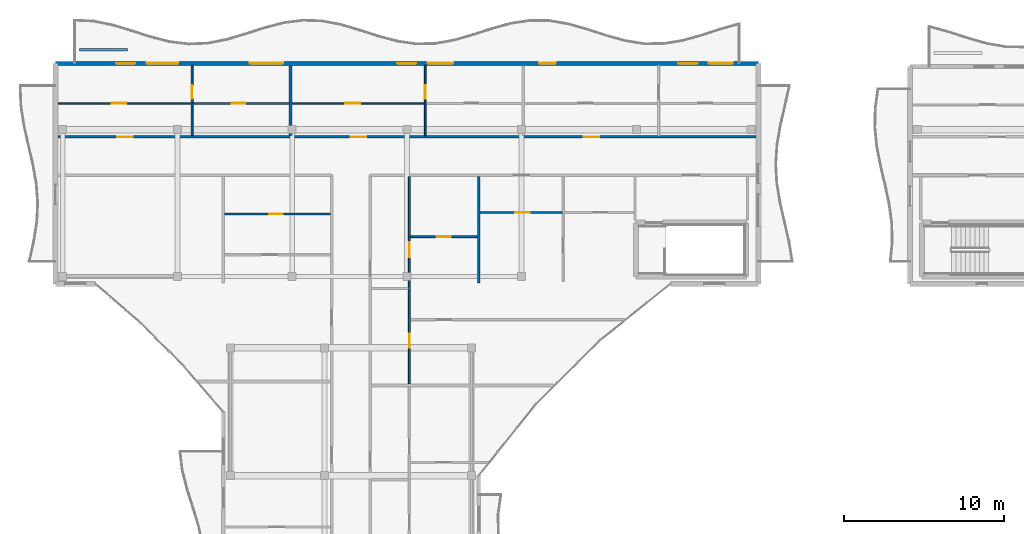
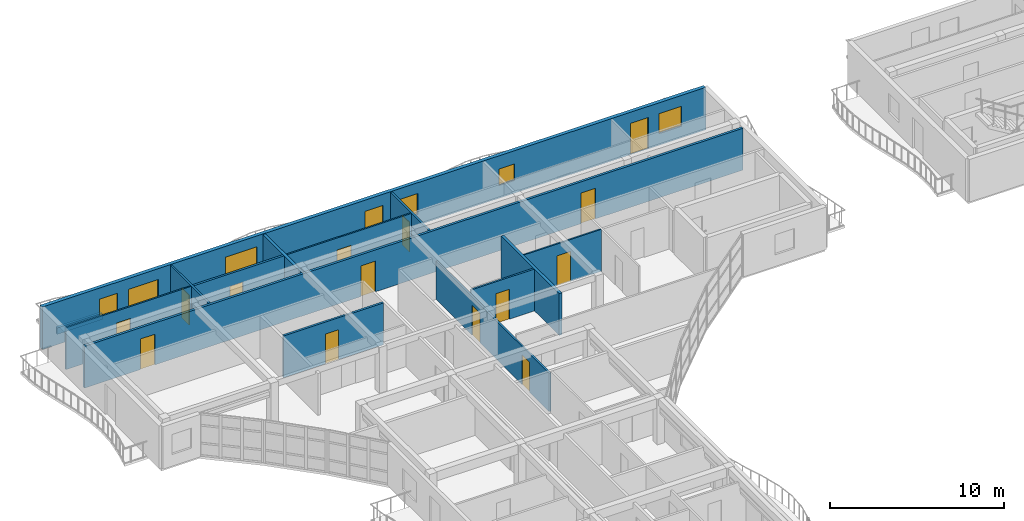
# One storey, part 17 of 30: 16 doors, 14 walls, 5 windows, 21 openings.
"""IFC4 building model written with IfcOpenShell, lengths in metres."""

from ifc_helpers import new_model, si_unit, direction, frame, frame_2d, origin, place, context, subcontext, project, spatial, rectangle, extrude, material, layer, layer_set, type_object, element, fill, save


model = new_model("IFC4")

# Units and contexts
model_context = context("Model", 3, precision=1e-05, world=origin(), true_north=direction((0.0, 1.0)))
body_context = subcontext(model_context, "Body", "Model", "MODEL_VIEW")
ifc_project = project(units=[si_unit("LENGTHUNIT", "METRE"), si_unit("AREAUNIT", "SQUARE_METRE"), si_unit("VOLUMEUNIT", "CUBIC_METRE"), si_unit("PLANEANGLEUNIT", "RADIAN"), si_unit("MASSUNIT", "GRAM", prefix="KILO")], contexts=[model_context])

# Site, building, storey
site_placement = place(None, origin())
site = spatial("IfcSite", under=ifc_project, at=site_placement, CompositionType="ELEMENT")
building_placement = place(site_placement, origin())
building = spatial("IfcBuilding", under=site, at=building_placement, Name="Keldmere Railside Commons", CompositionType="ELEMENT")
storey_placement = place(building_placement, frame((0.0, 0.0, 36.159912109375)))
storey = spatial("IfcBuildingStorey", under=building, at=storey_placement, Name="L11", CompositionType="ELEMENT", Elevation=36.159912109375)

# Walls
ifc_material_1 = material(Name="Acoustic Gypsum Board Partition", Category="gypsum")
ifc_layer_1 = layer(ifc_material_1, 0.179931640625, Name="Acoustic Demising Partition 180")
ifc_layer_set_1 = layer_set([ifc_layer_1], Name="Acoustic Gypsum Board Partition")
wall_type_1 = type_object("IfcWallType", Name="Acoustic Demising Partition 180", PredefinedType="PARTITIONING", material=ifc_layer_set_1)
wall_1_placement = place(storey_placement, frame((120.0, 100.050048828125, 0.0), z_axis=(0.0, 0.0, 1.0), x_axis=(0.0, 1.0, 0.0)))
element("IfcWall", 1, at=wall_1_placement, inside=storey, type_object=wall_type_1, Name="IW-1 IW-L11-1362", PredefinedType="PARTITIONING", context=body_context, shape_type="SweptSolid", body=[
    extrude(rectangle(XDim=6.669921875, YDim=0.179931640625, at=frame_2d((3.3349609375, 0.0))), origin(), (0.0, 0.0, 1.0), 2.93505859375),
])
wall_2_placement = place(storey_placement, frame((108.219970703125, 109.280029296875, 0.0), z_axis=(0.0, 0.0, 1.0), x_axis=(0.0, 1.0, 0.0)))
element("IfcWall", 2, at=wall_2_placement, inside=storey, type_object=wall_type_1, Name="IW-1 IW-L11-1382", PredefinedType="PARTITIONING", context=body_context, shape_type="SweptSolid", body=[
    extrude(rectangle(XDim=4.39990234375, YDim=0.179931640625, at=frame_2d((2.199951171875, 0.0))), origin(), (0.0, 0.0, 1.0), 2.93505859375),
])

# Wall, openings, doors
ifc_layer_2 = layer(ifc_material_1, 0.1201171875, Name="Apartment Interior Partition 120")
ifc_layer_set_2 = layer_set([ifc_layer_2], Name="Acoustic Gypsum Board Partition")
wall_type_2 = type_object("IfcWallType", Name="Apartment Interior Partition 120", PredefinedType="PARTITIONING", material=ifc_layer_set_2)
wall_3_placement = place(storey_placement, frame((115.659912109375, 93.739990234375, 0.0), z_axis=(0.0, 0.0, 1.0), x_axis=(0.0, 1.0, 0.0)))
wall_3 = element("IfcWall", 3, at=wall_3_placement, inside=storey, type_object=wall_type_2, Name="IW-4 IW-L11-1378", PredefinedType="PARTITIONING", context=body_context, shape_type="SweptSolid", body=[
    extrude(rectangle(XDim=12.97998046875, YDim=0.1201171875, at=frame_2d((6.489990234375, 0.0))), origin(), (0.0, 0.0, 1.0), 2.68017578125),
])
opening_1_placement = place(wall_3_placement, frame((2.2685546875, 0.0, 0.0)))
opening_1 = element("IfcOpeningElement", 4, at=opening_1_placement, cuts=wall_3, Name="Opening ID-04", PredefinedType="OPENING", context=body_context, shape_type="SweptSolid", body=[
    extrude(rectangle(XDim=0.860107421875, YDim=2.10009765625, at=frame_2d((0.43017578125, 1.050048828125))), frame((0.0, 0.070068359375, 0.0), z_axis=(0.0, -1.0, 0.0), x_axis=(1.0, 0.0, 0.0)), (0.0, 0.0, 1.0), 0.14013671875),
])
opening_2_placement = place(wall_3_placement, frame((7.932861328125, 0.0, 0.0)))
opening_2 = element("IfcOpeningElement", 5, at=opening_2_placement, cuts=wall_3, Name="Opening ID-03", PredefinedType="OPENING", context=body_context, shape_type="SweptSolid", body=[
    extrude(rectangle(XDim=0.919921875, YDim=2.10009765625, at=frame_2d((0.4599609375, 1.050048828125))), frame((0.0, 0.070068359375, 0.0), z_axis=(0.0, -1.0, 0.0), x_axis=(1.0, 0.0, 0.0)), (0.0, 0.0, 1.0), 0.14013671875),
])
ifc_material_2 = material(Name="Engineered Oak Timber", Category="wood")
door_type_1 = type_object("IfcDoorType", Name="Apartment Bathroom Door 860x2100", OperationType="NOTDEFINED", PredefinedType="DOOR", material=ifc_material_2)
door_1_placement = place(opening_1_placement, origin())
door_1 = element("IfcDoor", 6, at=door_1_placement, inside=storey, type_object=door_type_1, Name="ID-04 IDR-L11-1230", OperationType="SINGLE_SWING_RIGHT", OverallHeight=2.10009765625, OverallWidth=0.860107421875, PredefinedType="DOOR", context=body_context, shape_type="SweptSolid", body=[
    extrude(rectangle(XDim=0.860107421875, YDim=2.10009765625, at=frame_2d((0.43017578125, 1.050048828125))), frame((0.0, 0.02490234375, 0.0), z_axis=(0.0, -1.0, 0.0), x_axis=(1.0, 0.0, 0.0)), (0.0, 0.0, 1.0), 0.050048828125),
])
fill(opening_1, door_1)
door_type_2 = type_object("IfcDoorType", Name="Kitchen Pocket-Frame Swing Door 920x2100", OperationType="NOTDEFINED", PredefinedType="DOOR", material=ifc_material_2)
door_2_placement = place(opening_2_placement, origin())
door_2 = element("IfcDoor", 7, at=door_2_placement, inside=storey, type_object=door_type_2, Name="ID-03 IDR-L11-1231", OperationType="SINGLE_SWING_LEFT", OverallHeight=2.10009765625, OverallWidth=0.919921875, PredefinedType="DOOR", context=body_context, shape_type="SweptSolid", body=[
    extrude(rectangle(XDim=0.919921875, YDim=2.10009765625, at=frame_2d((0.4599609375, 1.050048828125))), frame((0.0, 0.02490234375, 0.0), z_axis=(0.0, -1.0, 0.0), x_axis=(1.0, 0.0, 0.0)), (0.0, 0.0, 1.0), 0.050048828125),
])
fill(opening_2, door_2)

# Wall, opening, door
wall_4_placement = place(storey_placement, frame((115.719970703125, 102.9599609375, 0.0), z_axis=(0.0, 0.0, 1.0), x_axis=(1.0, 0.0, 0.0)))
wall_4 = element("IfcWall", 8, at=wall_4_placement, inside=storey, type_object=wall_type_2, Name="IW-4 IW-L11-1381", PredefinedType="PARTITIONING", context=body_context, shape_type="SweptSolid", body=[
    extrude(rectangle(XDim=4.18994140625, YDim=0.1201171875, at=frame_2d((2.094970703125, 0.0))), origin(), (0.0, 0.0, 1.0), 2.93505859375),
])
opening_3_placement = place(wall_4_placement, frame((1.655029296875, 0.0, 0.0)))
opening_3 = element("IfcOpeningElement", 9, at=opening_3_placement, cuts=wall_4, Name="Opening ID-02", PredefinedType="OPENING", context=body_context, shape_type="SweptSolid", body=[
    extrude(rectangle(XDim=0.8798828125, YDim=2.10009765625, at=frame_2d((0.43994140625, 1.050048828125))), frame((0.0, 0.070068359375, 0.0), z_axis=(0.0, -1.0, 0.0), x_axis=(1.0, 0.0, 0.0)), (0.0, 0.0, 1.0), 0.14013671875),
])
door_type_3 = type_object("IfcDoorType", Name="Secondary Bedroom Door 880x2100", OperationType="NOTDEFINED", PredefinedType="DOOR", material=ifc_material_2)
door_3_placement = place(opening_3_placement, origin())
door_3 = element("IfcDoor", 10, at=door_3_placement, inside=storey, type_object=door_type_3, Name="ID-02 IDR-L11-1234", OperationType="SINGLE_SWING_RIGHT", OverallHeight=2.10009765625, OverallWidth=0.8798828125, PredefinedType="DOOR", context=body_context, shape_type="SweptSolid", body=[
    extrude(rectangle(XDim=0.8798828125, YDim=2.10009765625, at=frame_2d((0.43994140625, 1.050048828125))), frame((0.0, 0.02490234375, 0.0), z_axis=(0.0, -1.0, 0.0), x_axis=(1.0, 0.0, 0.0)), (0.0, 0.0, 1.0), 0.050048828125),
])
fill(opening_3, door_3)

wall_5_placement = place(storey_placement, frame((102.050048828125, 109.280029296875, 0.0), z_axis=(0.0, 0.0, 1.0), x_axis=(0.0, 1.0, 0.0)))
wall_5 = element("IfcWall", 11, at=wall_5_placement, inside=storey, type_object=wall_type_2, Name="IW-4 IW-L11-1384", PredefinedType="PARTITIONING", context=body_context, shape_type="SweptSolid", body=[
    extrude(rectangle(XDim=4.39990234375, YDim=0.1201171875, at=frame_2d((2.199951171875, 0.0))), origin(), (0.0, 0.0, 1.0), 2.93505859375),
])
opening_4_placement = place(wall_5_placement, frame((2.29638671875, 0.0, 0.0)))
opening_4 = element("IfcOpeningElement", 12, at=opening_4_placement, cuts=wall_5, Name="Opening ID-04", PredefinedType="OPENING", context=body_context, shape_type="SweptSolid", body=[
    extrude(rectangle(XDim=0.860107421875, YDim=2.10009765625, at=frame_2d((0.43017578125, 1.050048828125))), frame((0.0, 0.070068359375, 0.0), z_axis=(0.0, -1.0, 0.0), x_axis=(1.0, 0.0, 0.0)), (0.0, 0.0, 1.0), 0.14013671875),
])
door_4_placement = place(opening_4_placement, origin())
door_4 = element("IfcDoor", 13, at=door_4_placement, inside=storey, type_object=door_type_1, Name="ID-04 IDR-L11-1237", OperationType="SINGLE_SWING_LEFT", OverallHeight=2.10009765625, OverallWidth=0.860107421875, PredefinedType="DOOR", context=body_context, shape_type="SweptSolid", body=[
    extrude(rectangle(XDim=0.860107421875, YDim=2.10009765625, at=frame_2d((0.43017578125, 1.050048828125))), frame((0.0, 0.02490234375, 0.0), z_axis=(0.0, -1.0, 0.0), x_axis=(1.0, 0.0, 0.0)), (0.0, 0.0, 1.0), 0.050048828125),
])
fill(opening_4, door_4)

wall_6_placement = place(storey_placement, frame((116.64990234375, 109.280029296875, 0.0), z_axis=(0.0, 0.0, 1.0), x_axis=(0.0, 1.0, 0.0)))
wall_6 = element("IfcWall", 14, at=wall_6_placement, inside=storey, type_object=wall_type_2, Name="IW-4 IW-L11-1387", PredefinedType="PARTITIONING", context=body_context, shape_type="SweptSolid", body=[
    extrude(rectangle(XDim=4.39990234375, YDim=0.1201171875, at=frame_2d((2.199951171875, 0.0))), origin(), (0.0, 0.0, 1.0), 2.93505859375),
])
opening_5_placement = place(wall_6_placement, frame((2.29638671875, 0.0, 0.0)))
opening_5 = element("IfcOpeningElement", 15, at=opening_5_placement, cuts=wall_6, Name="Opening ID-04", PredefinedType="OPENING", context=body_context, shape_type="SweptSolid", body=[
    extrude(rectangle(XDim=0.860107421875, YDim=2.10009765625, at=frame_2d((0.43017578125, 1.050048828125))), frame((0.0, 0.070068359375, 0.0), z_axis=(0.0, -1.0, 0.0), x_axis=(1.0, 0.0, 0.0)), (0.0, 0.0, 1.0), 0.14013671875),
])
door_5_placement = place(opening_5_placement, origin())
door_5 = element("IfcDoor", 16, at=door_5_placement, inside=storey, type_object=door_type_1, Name="ID-04 IDR-L11-1241", OperationType="SINGLE_SWING_LEFT", OverallHeight=2.10009765625, OverallWidth=0.860107421875, PredefinedType="DOOR", context=body_context, shape_type="SweptSolid", body=[
    extrude(rectangle(XDim=0.860107421875, YDim=2.10009765625, at=frame_2d((0.43017578125, 1.050048828125))), frame((0.0, 0.02490234375, 0.0), z_axis=(0.0, -1.0, 0.0), x_axis=(1.0, 0.0, 0.0)), (0.0, 0.0, 1.0), 0.050048828125),
])
fill(opening_5, door_5)

# Wall
ifc_material_3 = material(Name="White Precast Concrete H-35 (C35/45)", Category="concrete")
ifc_layer_3 = layer(ifc_material_3, 0.169921875, Name="Balcony Planter Kerb Wall 170")
ifc_layer_set_3 = layer_set([ifc_layer_3], Name="White Precast Concrete H-35 (C35/45)")
wall_type_3 = type_object("IfcWallType", Name="Balcony Planter Kerb Wall 170", PredefinedType="PARAPET", material=ifc_layer_set_3)
wall_7_placement = place(storey_placement, frame((95.0, 114.64990234375, 0.0), z_axis=(0.0, 0.0, 1.0), x_axis=(1.0, 0.0, 0.0)))
element("IfcWall", 17, at=wall_7_placement, inside=storey, type_object=wall_type_3, Name="PW-2 PKBB-L11-0681", PredefinedType="PARAPET", context=body_context, shape_type="SweptSolid", body=[
    extrude(rectangle(XDim=3.0, YDim=0.169921875, at=frame_2d((1.5, 0.0))), origin(), (0.0, 0.0, 1.0), 0.4501953125),
])

# Wall, opening, door
ifc_layer_4 = layer(ifc_material_1, 0.10009765625, Name="Closet Light Partition 100")
ifc_layer_set_4 = layer_set([ifc_layer_4], Name="Acoustic Gypsum Board Partition")
wall_type_4 = type_object("IfcWallType", Name="Closet Light Partition 100", PredefinedType="PARTITIONING", material=ifc_layer_set_4)
wall_8_placement = place(storey_placement, frame((93.659912109375, 111.300048828125, 0.0), z_axis=(0.0, 0.0, 1.0), x_axis=(1.0, 0.0, 0.0)))
wall_8 = element("IfcWall", 18, at=wall_8_placement, inside=storey, type_object=wall_type_4, Name="IW-6 IW-L11-1386", PredefinedType="PARTITIONING", context=body_context, shape_type="SweptSolid", body=[
    extrude(rectangle(XDim=8.330078125, YDim=0.10009765625, at=frame_2d((4.1650390625, 0.0))), origin(), (0.0, 0.0, 1.0), 2.93505859375),
])
opening_6_placement = place(wall_8_placement, frame((3.35595703125, 0.0, 0.0)))
opening_6 = element("IfcOpeningElement", 19, at=opening_6_placement, cuts=wall_8, Name="Opening ID-03", PredefinedType="OPENING", context=body_context, shape_type="SweptSolid", body=[
    extrude(rectangle(XDim=0.919921875, YDim=2.10009765625, at=frame_2d((0.4599609375, 1.050048828125))), frame((0.0, 0.06005859375, 0.0), z_axis=(0.0, -1.0, 0.0), x_axis=(1.0, 0.0, 0.0)), (0.0, 0.0, 1.0), 0.1201171875),
])
door_6_placement = place(opening_6_placement, origin())
door_6 = element("IfcDoor", 20, at=door_6_placement, inside=storey, type_object=door_type_2, Name="ID-03 IDR-L11-1236", OperationType="SINGLE_SWING_RIGHT", OverallHeight=2.10009765625, OverallWidth=0.919921875, PredefinedType="DOOR", context=body_context, shape_type="SweptSolid", body=[
    extrude(rectangle(XDim=0.919921875, YDim=2.10009765625, at=frame_2d((0.4599609375, 1.050048828125))), frame((0.0, 0.02490234375, 0.0), z_axis=(0.0, -1.0, 0.0), x_axis=(1.0, 0.0, 0.0)), (0.0, 0.0, 1.0), 0.050048828125),
])
fill(opening_6, door_6)

wall_9_placement = place(storey_placement, frame((108.31005859375, 111.300048828125, 0.0), z_axis=(0.0, 0.0, 1.0), x_axis=(1.0, 0.0, 0.0)))
wall_9 = element("IfcWall", 21, at=wall_9_placement, inside=storey, type_object=wall_type_4, Name="IW-6 IW-L11-1389", PredefinedType="PARTITIONING", context=body_context, shape_type="SweptSolid", body=[
    extrude(rectangle(XDim=8.280029296875, YDim=0.10009765625, at=frame_2d((4.14013671875, 0.0))), origin(), (0.0, 0.0, 1.0), 2.93505859375),
])
opening_7_placement = place(wall_9_placement, frame((3.3359375, 0.0, 0.0)))
opening_7 = element("IfcOpeningElement", 22, at=opening_7_placement, cuts=wall_9, Name="Opening ID-03", PredefinedType="OPENING", context=body_context, shape_type="SweptSolid", body=[
    extrude(rectangle(XDim=0.919921875, YDim=2.10009765625, at=frame_2d((0.4599609375, 1.050048828125))), frame((0.0, 0.06005859375, 0.0), z_axis=(0.0, -1.0, 0.0), x_axis=(1.0, 0.0, 0.0)), (0.0, 0.0, 1.0), 0.1201171875),
])
door_7_placement = place(opening_7_placement, origin())
door_7 = element("IfcDoor", 23, at=door_7_placement, inside=storey, type_object=door_type_2, Name="ID-03 IDR-L11-1240", OperationType="SINGLE_SWING_RIGHT", OverallHeight=2.10009765625, OverallWidth=0.919921875, PredefinedType="DOOR", context=body_context, shape_type="SweptSolid", body=[
    extrude(rectangle(XDim=0.919921875, YDim=2.10009765625, at=frame_2d((0.4599609375, 1.050048828125))), frame((0.0, 0.02490234375, 0.0), z_axis=(0.0, -1.0, 0.0), x_axis=(1.0, 0.0, 0.0)), (0.0, 0.0, 1.0), 0.050048828125),
])
fill(opening_7, door_7)

wall_10_placement = place(storey_placement, frame((120.090087890625, 104.469970703125, 0.0), z_axis=(0.0, 0.0, 1.0), x_axis=(1.0, 0.0, 0.0)))
wall_10 = element("IfcWall", 24, at=wall_10_placement, inside=storey, type_object=wall_type_4, Name="IW-6 IW-L11-1395", PredefinedType="PARTITIONING", context=body_context, shape_type="SweptSolid", body=[
    extrude(rectangle(XDim=5.1298828125, YDim=0.10009765625, at=frame_2d((2.56494140625, 0.0))), origin(), (0.0, 0.0, 1.0), 2.93505859375),
])
opening_8_placement = place(wall_10_placement, frame((2.1796875, 0.0, 0.0)))
opening_8 = element("IfcOpeningElement", 25, at=opening_8_placement, cuts=wall_10, Name="Opening ID-03", PredefinedType="OPENING", context=body_context, shape_type="SweptSolid", body=[
    extrude(rectangle(XDim=0.919921875, YDim=2.10009765625, at=frame_2d((0.4599609375, 1.050048828125))), frame((0.0, 0.06005859375, 0.0), z_axis=(0.0, -1.0, 0.0), x_axis=(1.0, 0.0, 0.0)), (0.0, 0.0, 1.0), 0.1201171875),
])
door_8_placement = place(opening_8_placement, origin())
door_8 = element("IfcDoor", 26, at=door_8_placement, inside=storey, type_object=door_type_2, Name="ID-03 IDR-L11-1248", OperationType="SINGLE_SWING_RIGHT", OverallHeight=2.10009765625, OverallWidth=0.919921875, PredefinedType="DOOR", context=body_context, shape_type="SweptSolid", body=[
    extrude(rectangle(XDim=0.919921875, YDim=2.10009765625, at=frame_2d((0.4599609375, 1.050048828125))), frame((0.0, 0.02490234375, 0.0), z_axis=(0.0, -1.0, 0.0), x_axis=(1.0, 0.0, 0.0)), (0.0, 0.0, 1.0), 0.050048828125),
])
fill(opening_8, door_8)

# Wall, openings, doors
ifc_layer_5 = layer(ifc_material_1, 0.159912109375, Name="Corridor Fire Partition 160")
ifc_layer_set_5 = layer_set([ifc_layer_5], Name="Acoustic Gypsum Board Partition")
wall_type_5 = type_object("IfcWallType", Name="Corridor Fire Partition 160", PredefinedType="PARTITIONING", material=ifc_layer_set_5)
wall_11_placement = place(storey_placement, frame((93.659912109375, 109.199951171875, 0.0), z_axis=(0.0, 0.0, 1.0), x_axis=(1.0, 0.0, 0.0)))
wall_11 = element("IfcWall", 27, at=wall_11_placement, inside=storey, type_object=wall_type_5, Name="IW-2 IW-L11-1361", PredefinedType="PARTITIONING", context=body_context, shape_type="SweptSolid", body=[
    extrude(rectangle(XDim=43.68017578125, YDim=0.159912109375, at=frame_2d((21.840087890625, 0.0))), origin(), (0.0, 0.0, 1.0), 2.93505859375),
])
opening_9_placement = place(wall_11_placement, frame((3.705078125, 0.0, 0.0)))
opening_9 = element("IfcOpeningElement", 28, at=opening_9_placement, cuts=wall_11, Name="Opening FD-7", PredefinedType="OPENING", context=body_context, shape_type="SweptSolid", body=[
    extrude(rectangle(XDim=0.97998046875, YDim=2.14990234375, at=frame_2d((0.489990234375, 1.074951171875))), frame((0.0, 0.08984375, 0.0), z_axis=(0.0, -1.0, 0.0), x_axis=(1.0, 0.0, 0.0)), (0.0, 0.0, 1.0), 0.179931640625),
])
opening_10_placement = place(wall_11_placement, frame((18.330078125, 0.0, 0.0)))
opening_10 = element("IfcOpeningElement", 29, at=opening_10_placement, cuts=wall_11, Name="Opening FD-7", PredefinedType="OPENING", context=body_context, shape_type="SweptSolid", body=[
    extrude(rectangle(XDim=0.97998046875, YDim=2.14990234375, at=frame_2d((0.489990234375, 1.074951171875))), frame((0.0, 0.08984375, 0.0), z_axis=(0.0, -1.0, 0.0), x_axis=(1.0, 0.0, 0.0)), (0.0, 0.0, 1.0), 0.179931640625),
])
opening_11_placement = place(wall_11_placement, frame((32.9150390625, 0.0, 0.0)))
opening_11 = element("IfcOpeningElement", 30, at=opening_11_placement, cuts=wall_11, Name="Opening FD-7", PredefinedType="OPENING", context=body_context, shape_type="SweptSolid", body=[
    extrude(rectangle(XDim=0.97998046875, YDim=2.14990234375, at=frame_2d((0.489990234375, 1.074951171875))), frame((0.0, 0.08984375, 0.0), z_axis=(0.0, -1.0, 0.0), x_axis=(1.0, 0.0, 0.0)), (0.0, 0.0, 1.0), 0.179931640625),
])
door_type_4 = type_object("IfcDoorType", Name="Apartment Entrance Acoustic Fire Door 980x2150", OperationType="NOTDEFINED", PredefinedType="DOOR", material=ifc_material_2)
door_9_placement = place(opening_9_placement, origin())
door_9 = element("IfcDoor", 31, at=door_9_placement, inside=storey, type_object=door_type_4, Name="FD-7 IDR-L11-1235", OperationType="SINGLE_SWING_LEFT", OverallHeight=2.14990234375, OverallWidth=0.97998046875, PredefinedType="DOOR", context=body_context, shape_type="SweptSolid", body=[
    extrude(rectangle(XDim=0.97998046875, YDim=2.14990234375, at=frame_2d((0.489990234375, 1.074951171875))), frame((0.0, 0.02490234375, 0.0), z_axis=(0.0, -1.0, 0.0), x_axis=(1.0, 0.0, 0.0)), (0.0, 0.0, 1.0), 0.050048828125),
])
fill(opening_9, door_9)
door_10_placement = place(opening_10_placement, origin())
door_10 = element("IfcDoor", 32, at=door_10_placement, inside=storey, type_object=door_type_4, Name="FD-7 IDR-L11-1239", OperationType="SINGLE_SWING_LEFT", OverallHeight=2.14990234375, OverallWidth=0.97998046875, PredefinedType="DOOR", context=body_context, shape_type="SweptSolid", body=[
    extrude(rectangle(XDim=0.97998046875, YDim=2.14990234375, at=frame_2d((0.489990234375, 1.074951171875))), frame((0.0, 0.02490234375, 0.0), z_axis=(0.0, -1.0, 0.0), x_axis=(1.0, 0.0, 0.0)), (0.0, 0.0, 1.0), 0.050048828125),
])
fill(opening_10, door_10)
door_11_placement = place(opening_11_placement, origin())
door_11 = element("IfcDoor", 33, at=door_11_placement, inside=storey, type_object=door_type_4, Name="FD-7 IDR-L11-1243", OperationType="SINGLE_SWING_LEFT", OverallHeight=2.14990234375, OverallWidth=0.97998046875, PredefinedType="DOOR", context=body_context, shape_type="SweptSolid", body=[
    extrude(rectangle(XDim=0.97998046875, YDim=2.14990234375, at=frame_2d((0.489990234375, 1.074951171875))), frame((0.0, 0.02490234375, 0.0), z_axis=(0.0, -1.0, 0.0), x_axis=(1.0, 0.0, 0.0)), (0.0, 0.0, 1.0), 0.050048828125),
])
fill(opening_11, door_11)

# Wall, openings, windows, doors
ifc_material_4 = material(Name="Architectural Precast Concrete H-35 (C35/45)", Category="concrete")
ifc_layer_6 = layer(ifc_material_4, 0.239990234375, Name="Sand-Ochre Precast Cavity Wall 240")
ifc_layer_set_6 = layer_set([ifc_layer_6], Name="Architectural Precast Concrete H-35 (C35/45)")
wall_type_6 = type_object("IfcWallType", Name="Sand-Ochre Precast Cavity Wall 240", PredefinedType="SOLIDWALL", material=ifc_layer_set_6)
wall_12_placement = place(storey_placement, frame((93.5, 113.800048828125, 0.0), z_axis=(0.0, 0.0, 1.0), x_axis=(1.0, 0.0, 0.0)))
wall_12 = element("IfcWall", 34, at=wall_12_placement, inside=storey, type_object=wall_type_6, Name="EW-2 EXTB-L11-0677", PredefinedType="SOLIDWALL", context=body_context, shape_type="SweptSolid", body=[
    extrude(rectangle(XDim=44.0, YDim=0.239990234375, at=frame_2d((22.0, 0.0))), origin(), (0.0, 0.0, 1.0), 2.97998046875),
])
opening_12_placement = place(wall_12_placement, frame((3.800048828125, 0.0, 0.0)))
opening_12 = element("IfcOpeningElement", 35, at=opening_12_placement, cuts=wall_12, Name="Opening BD-01", PredefinedType="OPENING", context=body_context, shape_type="SweptSolid", body=[
    extrude(rectangle(XDim=1.199951171875, YDim=2.199951171875, at=frame_2d((0.60009765625, 1.10009765625))), frame((0.0, 0.1298828125, 0.0), z_axis=(0.0, -1.0, 0.0), x_axis=(1.0, 0.0, 0.0)), (0.0, 0.0, 1.0), 0.260009765625),
])
opening_13_placement = place(wall_12_placement, frame((5.699951171875, 0.0, 0.719970703125)))
opening_13 = element("IfcOpeningElement", 36, at=opening_13_placement, cuts=wall_12, Name="Opening WN-02", PredefinedType="OPENING", context=body_context, shape_type="SweptSolid", body=[
    extrude(rectangle(XDim=2.0, YDim=1.5, at=frame_2d((1.0, 0.75))), frame((0.0, 0.1298828125, 0.0), z_axis=(0.0, -1.0, 0.0), x_axis=(1.0, 0.0, 0.0)), (0.0, 0.0, 1.0), 0.260009765625),
])
opening_14_placement = place(wall_12_placement, frame((12.14990234375, 0.0, 0.669921875)))
opening_14 = element("IfcOpeningElement", 37, at=opening_14_placement, cuts=wall_12, Name="Opening WN-11", PredefinedType="OPENING", context=body_context, shape_type="SweptSolid", body=[
    extrude(rectangle(XDim=2.10009765625, YDim=1.550048828125, at=frame_2d((1.050048828125, 0.77490234375))), frame((0.0, 0.1298828125, 0.0), z_axis=(0.0, -1.0, 0.0), x_axis=(1.0, 0.0, 0.0)), (0.0, 0.0, 1.0), 0.260009765625),
])
opening_15_placement = place(wall_12_placement, frame((21.39990234375, 0.0, 0.0)))
opening_15 = element("IfcOpeningElement", 38, at=opening_15_placement, cuts=wall_12, Name="Opening BD-01", PredefinedType="OPENING", context=body_context, shape_type="SweptSolid", body=[
    extrude(rectangle(XDim=1.199951171875, YDim=2.199951171875, at=frame_2d((0.60009765625, 1.10009765625))), frame((0.0, 0.1298828125, 0.0), z_axis=(0.0, -1.0, 0.0), x_axis=(1.0, 0.0, 0.0)), (0.0, 0.0, 1.0), 0.260009765625),
])
opening_16_placement = place(wall_12_placement, frame((23.300048828125, 0.0, 0.77001953125)))
opening_16 = element("IfcOpeningElement", 39, at=opening_16_placement, cuts=wall_12, Name="Opening WN-04", PredefinedType="OPENING", context=body_context, shape_type="SweptSolid", body=[
    extrude(rectangle(XDim=1.60009765625, YDim=1.449951171875, at=frame_2d((0.800048828125, 0.72509765625))), frame((0.0, 0.1298828125, 0.0), z_axis=(0.0, -1.0, 0.0), x_axis=(1.0, 0.0, 0.0)), (0.0, 0.0, 1.0), 0.260009765625),
])
opening_17_placement = place(wall_12_placement, frame((30.27490234375, 0.0, 0.89990234375)))
opening_17 = element("IfcOpeningElement", 40, at=opening_17_placement, cuts=wall_12, Name="Opening WN-13", PredefinedType="OPENING", context=body_context, shape_type="SweptSolid", body=[
    extrude(rectangle(XDim=1.050048828125, YDim=1.14990234375, at=frame_2d((0.52490234375, 0.574951171875))), frame((0.0, 0.1298828125, 0.0), z_axis=(0.0, -1.0, 0.0), x_axis=(1.0, 0.0, 0.0)), (0.0, 0.0, 1.0), 0.260009765625),
])
opening_18_placement = place(wall_12_placement, frame((39.0, 0.0, 0.0)))
opening_18 = element("IfcOpeningElement", 41, at=opening_18_placement, cuts=wall_12, Name="Opening BD-01", PredefinedType="OPENING", context=body_context, shape_type="SweptSolid", body=[
    extrude(rectangle(XDim=1.199951171875, YDim=2.199951171875, at=frame_2d((0.60009765625, 1.10009765625))), frame((0.0, 0.1298828125, 0.0), z_axis=(0.0, -1.0, 0.0), x_axis=(1.0, 0.0, 0.0)), (0.0, 0.0, 1.0), 0.260009765625),
])
opening_19_placement = place(wall_12_placement, frame((40.89990234375, 0.0, 0.820068359375)))
opening_19 = element("IfcOpeningElement", 42, at=opening_19_placement, cuts=wall_12, Name="Opening WN-06", PredefinedType="OPENING", context=body_context, shape_type="SweptSolid", body=[
    extrude(rectangle(XDim=1.5, YDim=1.39990234375, at=frame_2d((0.75, 0.699951171875))), frame((0.0, 0.1298828125, 0.0), z_axis=(0.0, -1.0, 0.0), x_axis=(1.0, 0.0, 0.0)), (0.0, 0.0, 1.0), 0.260009765625),
])
ifc_material_5 = material(Name="Low-E Insulated Double Glazing", Category="glass")
window_type_1 = type_object("IfcWindowType", Name="Apartment Kitchen Casement Window 1050x1150", PartitioningType="SINGLE_PANEL", PredefinedType="WINDOW", material=ifc_material_5)
window_1_placement = place(opening_17_placement, origin())
window_1 = element("IfcWindow", 43, at=window_1_placement, inside=storey, type_object=window_type_1, Name="WN-13 WIN-L11-0549", OverallHeight=1.14990234375, OverallWidth=1.050048828125, PartitioningType="SINGLE_PANEL", PredefinedType="WINDOW", context=body_context, shape_type="SweptSolid", body=[
    extrude(rectangle(XDim=1.050048828125, YDim=1.14990234375, at=frame_2d((0.52490234375, 0.574951171875))), frame((0.0, 0.030029296875, 0.0), z_axis=(0.0, -1.0, 0.0), x_axis=(1.0, 0.0, 0.0)), (0.0, 0.0, 1.0), 0.06005859375),
])
fill(opening_17, window_1)
ifc_material_6 = material(Name="Thermally Broken Aluminium", Category="aluminium")
door_type_5 = type_object("IfcDoorType", Name="Apartment Living Wave-Balcony Glazed Door 1200x2200", OperationType="NOTDEFINED", PredefinedType="DOOR", material=ifc_material_6)
door_12_placement = place(opening_12_placement, origin())
door_12 = element("IfcDoor", 44, at=door_12_placement, inside=storey, type_object=door_type_5, Name="BD-01 DR-L11-0209", OperationType="SINGLE_SWING_LEFT", OverallHeight=2.199951171875, OverallWidth=1.199951171875, PredefinedType="DOOR", context=body_context, shape_type="SweptSolid", body=[
    extrude(rectangle(XDim=1.199951171875, YDim=2.199951171875, at=frame_2d((0.60009765625, 1.10009765625))), frame((0.0, 0.02490234375, 0.0), z_axis=(0.0, -1.0, 0.0), x_axis=(1.0, 0.0, 0.0)), (0.0, 0.0, 1.0), 0.050048828125),
])
fill(opening_12, door_12)
door_13_placement = place(opening_15_placement, origin())
door_13 = element("IfcDoor", 45, at=door_13_placement, inside=storey, type_object=door_type_5, Name="BD-01 DR-L11-0210", OperationType="SINGLE_SWING_RIGHT", OverallHeight=2.199951171875, OverallWidth=1.199951171875, PredefinedType="DOOR", context=body_context, shape_type="SweptSolid", body=[
    extrude(rectangle(XDim=1.199951171875, YDim=2.199951171875, at=frame_2d((0.60009765625, 1.10009765625))), frame((0.0, 0.02490234375, 0.0), z_axis=(0.0, -1.0, 0.0), x_axis=(1.0, 0.0, 0.0)), (0.0, 0.0, 1.0), 0.050048828125),
])
fill(opening_15, door_13)
door_14_placement = place(opening_18_placement, origin())
door_14 = element("IfcDoor", 46, at=door_14_placement, inside=storey, type_object=door_type_5, Name="BD-01 DR-L11-0211", OperationType="SINGLE_SWING_LEFT", OverallHeight=2.199951171875, OverallWidth=1.199951171875, PredefinedType="DOOR", context=body_context, shape_type="SweptSolid", body=[
    extrude(rectangle(XDim=1.199951171875, YDim=2.199951171875, at=frame_2d((0.60009765625, 1.10009765625))), frame((0.0, 0.02490234375, 0.0), z_axis=(0.0, -1.0, 0.0), x_axis=(1.0, 0.0, 0.0)), (0.0, 0.0, 1.0), 0.050048828125),
])
fill(opening_18, door_14)
window_type_2 = type_object("IfcWindowType", Name="Living Room South Casement Window 2000x1500", PartitioningType="SINGLE_PANEL", PredefinedType="WINDOW", material=ifc_material_5)
window_2_placement = place(opening_13_placement, origin())
window_2 = element("IfcWindow", 47, at=window_2_placement, inside=storey, type_object=window_type_2, Name="WN-02 WIN-L11-0546", OverallHeight=1.5, OverallWidth=2.0, PartitioningType="SINGLE_PANEL", PredefinedType="WINDOW", context=body_context, shape_type="SweptSolid", body=[
    extrude(rectangle(XDim=2.0, YDim=1.5, at=frame_2d((1.0, 0.75))), frame((0.0, 0.030029296875, 0.0), z_axis=(0.0, -1.0, 0.0), x_axis=(1.0, 0.0, 0.0)), (0.0, 0.0, 1.0), 0.06005859375),
])
fill(opening_13, window_2)
window_type_3 = type_object("IfcWindowType", Name="Living Room West Shaded Window 1600x1450", PartitioningType="SINGLE_PANEL", PredefinedType="WINDOW", material=ifc_material_5)
window_3_placement = place(opening_16_placement, origin())
window_3 = element("IfcWindow", 48, at=window_3_placement, inside=storey, type_object=window_type_3, Name="WN-04 WIN-L11-0548", OverallHeight=1.449951171875, OverallWidth=1.60009765625, PartitioningType="SINGLE_PANEL", PredefinedType="WINDOW", context=body_context, shape_type="SweptSolid", body=[
    extrude(rectangle(XDim=1.60009765625, YDim=1.449951171875, at=frame_2d((0.800048828125, 0.72509765625))), frame((0.0, 0.030029296875, 0.0), z_axis=(0.0, -1.0, 0.0), x_axis=(1.0, 0.0, 0.0)), (0.0, 0.0, 1.0), 0.06005859375),
])
fill(opening_16, window_3)
window_type_4 = type_object("IfcWindowType", Name="Primary Bedroom North Window 1500x1400", PartitioningType="SINGLE_PANEL", PredefinedType="WINDOW", material=ifc_material_5)
window_4_placement = place(opening_19_placement, origin())
window_4 = element("IfcWindow", 49, at=window_4_placement, inside=storey, type_object=window_type_4, Name="WN-06 WIN-L11-0550", OverallHeight=1.39990234375, OverallWidth=1.5, PartitioningType="SINGLE_PANEL", PredefinedType="WINDOW", context=body_context, shape_type="SweptSolid", body=[
    extrude(rectangle(XDim=1.5, YDim=1.39990234375, at=frame_2d((0.75, 0.699951171875))), frame((0.0, 0.030029296875, 0.0), z_axis=(0.0, -1.0, 0.0), x_axis=(1.0, 0.0, 0.0)), (0.0, 0.0, 1.0), 0.06005859375),
])
fill(opening_19, window_4)
window_type_5 = type_object("IfcWindowType", Name="Studio Wide Casement Window 2100x1550", PartitioningType="SINGLE_PANEL", PredefinedType="WINDOW", material=ifc_material_5)
window_5_placement = place(opening_14_placement, origin())
window_5 = element("IfcWindow", 50, at=window_5_placement, inside=storey, type_object=window_type_5, Name="WN-11 WIN-L11-0547", OverallHeight=1.550048828125, OverallWidth=2.10009765625, PartitioningType="SINGLE_PANEL", PredefinedType="WINDOW", context=body_context, shape_type="SweptSolid", body=[
    extrude(rectangle(XDim=2.10009765625, YDim=1.550048828125, at=frame_2d((1.050048828125, 0.77490234375))), frame((0.0, 0.030029296875, 0.0), z_axis=(0.0, -1.0, 0.0), x_axis=(1.0, 0.0, 0.0)), (0.0, 0.0, 1.0), 0.06005859375),
])
fill(opening_14, window_5)

# Wall, opening, door
ifc_layer_7 = layer(ifc_material_1, 0.139892578125, Name="Wet-Room Sanitary Partition 140")
ifc_layer_set_7 = layer_set([ifc_layer_7], Name="Acoustic Gypsum Board Partition")
wall_type_7 = type_object("IfcWallType", Name="Wet-Room Sanitary Partition 140", PredefinedType="PARTITIONING", material=ifc_layer_set_7)
wall_13_placement = place(storey_placement, frame((102.110107421875, 111.300048828125, 0.0), z_axis=(0.0, 0.0, 1.0), x_axis=(1.0, 0.0, 0.0)))
wall_13 = element("IfcWall", 51, at=wall_13_placement, inside=storey, type_object=wall_type_7, Name="IW-5 IW-L11-1385", PredefinedType="PARTITIONING", context=body_context, shape_type="SweptSolid", body=[
    extrude(rectangle(XDim=6.019775390625, YDim=0.139892578125, at=frame_2d((3.009765625, 0.0))), origin(), (0.0, 0.0, 1.0), 2.93505859375),
])
opening_20_placement = place(wall_13_placement, frame((2.431884765625, 0.0, 0.0)))
opening_20 = element("IfcOpeningElement", 52, at=opening_20_placement, cuts=wall_13, Name="Opening ID-06", PredefinedType="OPENING", context=body_context, shape_type="SweptSolid", body=[
    extrude(rectangle(XDim=0.85009765625, YDim=2.050048828125, at=frame_2d((0.425048828125, 1.02490234375))), frame((0.0, 0.079833984375, 0.0), z_axis=(0.0, -1.0, 0.0), x_axis=(1.0, 0.0, 0.0)), (0.0, 0.0, 1.0), 0.159912109375),
])
door_type_6 = type_object("IfcDoorType", Name="Storage Closet Door 850x2050", OperationType="NOTDEFINED", PredefinedType="DOOR", material=ifc_material_2)
door_15_placement = place(opening_20_placement, origin())
door_15 = element("IfcDoor", 53, at=door_15_placement, inside=storey, type_object=door_type_6, Name="ID-06 IDR-L11-1238", OperationType="SINGLE_SWING_RIGHT", OverallHeight=2.050048828125, OverallWidth=0.85009765625, PredefinedType="DOOR", context=body_context, shape_type="SweptSolid", body=[
    extrude(rectangle(XDim=0.85009765625, YDim=2.050048828125, at=frame_2d((0.425048828125, 1.02490234375))), frame((0.0, 0.02490234375, 0.0), z_axis=(0.0, -1.0, 0.0), x_axis=(1.0, 0.0, 0.0)), (0.0, 0.0, 1.0), 0.050048828125),
])
fill(opening_20, door_15)

wall_14_placement = place(storey_placement, frame((104.090087890625, 104.3701171875, 0.0), z_axis=(0.0, 0.0, 1.0), x_axis=(1.0, 0.0, 0.0)))
wall_14 = element("IfcWall", 54, at=wall_14_placement, inside=storey, type_object=wall_type_7, Name="IW-5 IW-L11-1400", PredefinedType="PARTITIONING", context=body_context, shape_type="SweptSolid", body=[
    extrude(rectangle(XDim=6.6298828125, YDim=0.139892578125, at=frame_2d((3.31494140625, 0.0))), origin(), (0.0, 0.0, 1.0), 2.93505859375),
])
opening_21_placement = place(wall_14_placement, frame((2.78466796875, 0.0, 0.0)))
opening_21 = element("IfcOpeningElement", 55, at=opening_21_placement, cuts=wall_14, Name="Opening ID-04", PredefinedType="OPENING", context=body_context, shape_type="SweptSolid", body=[
    extrude(rectangle(XDim=0.860107421875, YDim=2.10009765625, at=frame_2d((0.43017578125, 1.050048828125))), frame((0.0, 0.079833984375, 0.0), z_axis=(0.0, -1.0, 0.0), x_axis=(1.0, 0.0, 0.0)), (0.0, 0.0, 1.0), 0.159912109375),
])
door_16_placement = place(opening_21_placement, origin())
door_16 = element("IfcDoor", 56, at=door_16_placement, inside=storey, type_object=door_type_1, Name="ID-04 IDR-L11-1254", OperationType="SINGLE_SWING_RIGHT", OverallHeight=2.10009765625, OverallWidth=0.860107421875, PredefinedType="DOOR", context=body_context, shape_type="SweptSolid", body=[
    extrude(rectangle(XDim=0.860107421875, YDim=2.10009765625, at=frame_2d((0.43017578125, 1.050048828125))), frame((0.0, 0.02490234375, 0.0), z_axis=(0.0, -1.0, 0.0), x_axis=(1.0, 0.0, 0.0)), (0.0, 0.0, 1.0), 0.050048828125),
])
fill(opening_21, door_16)

save(model, "model.ifc")
